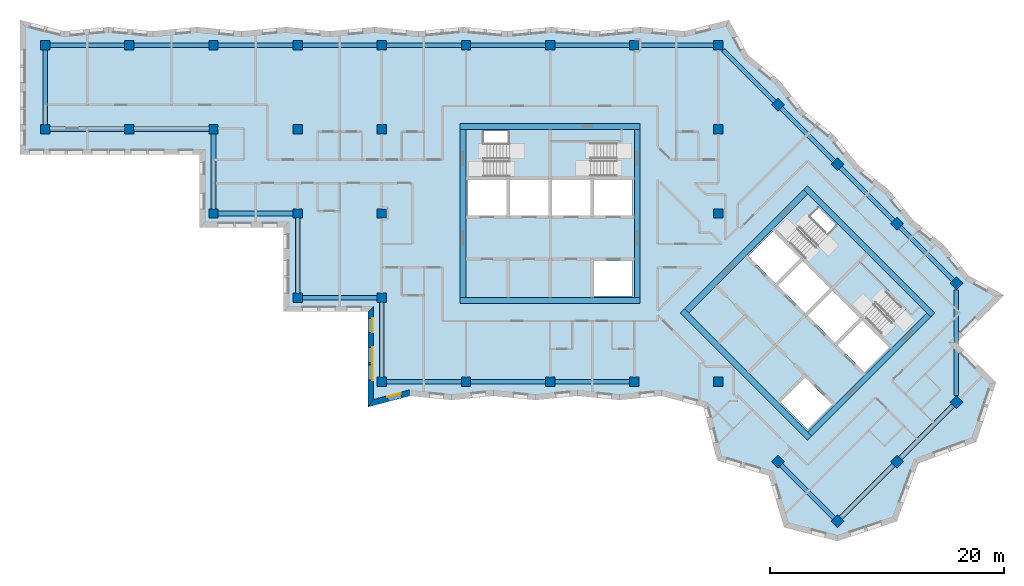
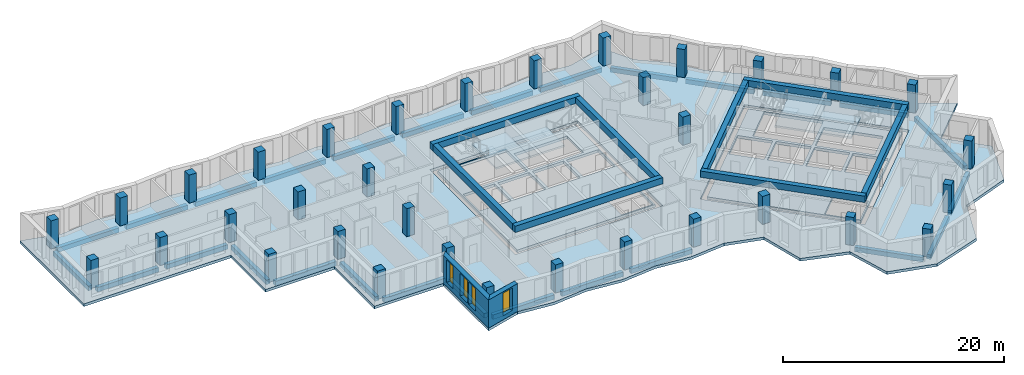
# One storey, part 1 of 11: 35 beams, 34 columns, 7 slabs, 4 windows, 2 walls, 20 openings, 4 elements without a shape of their own.
"""IFC4 building model written with IfcOpenShell, lengths in metres."""

from ifc_helpers import new_model, si_unit, direction, frame, frame_2d, origin, origin_2d, place, context, subcontext, project, spatial, polyline, rectangle, outline, extrude, material, layer, layer_set, material_profile, profile_set, type_object, element, fill, aggregate, save


model = new_model("IFC4")

# Units and contexts
model_context = context("Model", 3, precision=1e-05, world=origin(), true_north=direction((0.0, 1.0)))
body_context = subcontext(model_context, "Body", "Model", "MODEL_VIEW")
ifc_project = project(units=[si_unit("LENGTHUNIT", "METRE"), si_unit("AREAUNIT", "SQUARE_METRE"), si_unit("VOLUMEUNIT", "CUBIC_METRE"), si_unit("PLANEANGLEUNIT", "RADIAN"), si_unit("MASSUNIT", "GRAM", prefix="KILO")], contexts=[model_context])

# Site, building, storey
site_placement = place(None, origin())
site = spatial("IfcSite", under=ifc_project, at=site_placement, CompositionType="ELEMENT")
building_placement = place(site_placement, origin())
building = spatial("IfcBuilding", under=site, at=building_placement, Name="Windrow Commons", CompositionType="ELEMENT")
storey_placement = place(building_placement, frame((0.0, 0.0, 196.4)))
storey = spatial("IfcBuildingStorey", under=building, at=storey_placement, Name="L53", CompositionType="ELEMENT", Elevation=196.4)

# Columns
ifc_material_1 = material(Name="Concrete C50/60", Category="concrete")
ifc_material_profile_1 = material_profile(ifc_material_1, rectangle(XDim=0.8, YDim=0.8, at=origin_2d()))
ifc_profile_set_1 = profile_set([ifc_material_profile_1], Name="Concrete C50/60")
column_type = type_object("IfcColumnType", Name="RC COLUMN 800x800 C50/60", PredefinedType="COLUMN", material=ifc_profile_set_1)
for number, where, z_axis, x_axis, name in (
    (1, (21.6, 64.8, 0.0), (0.0, 0.0, 1.0), (1.0, 0.0, 0.0), "C-Z4-04I"),
    (2, (21.6, 72.0, 0.0), (0.0, 0.0, 1.0), (1.0, 0.0, 0.0), "C-Z4-04J"),
    (3, (28.8, 64.8, 0.0), (0.0, 0.0, 1.0), (1.0, 0.0, 0.0), "C-Z4-05I"),
    (4, (28.8, 72.0, 0.0), (0.0, 0.0, 1.0), (1.0, 0.0, 0.0), "C-Z4-05J"),
    (5, (36.0, 57.6, 0.0), (0.0, 0.0, 1.0), (1.0, 0.0, 0.0), "C-Z4-06H"),
    (6, (36.0, 64.8, 0.0), (0.0, 0.0, 1.0), (1.0, 0.0, 0.0), "C-Z4-06I"),
    (7, (36.0, 72.0, 0.0), (0.0, 0.0, 1.0), (1.0, 0.0, 0.0), "C-Z4-06J"),
    (8, (43.2, 50.4, 0.0), (0.0, 0.0, 1.0), (1.0, 0.0, 0.0), "C-Z4-07G"),
    (9, (43.2, 57.6, 0.0), (0.0, 0.0, 1.0), (1.0, 0.0, 0.0), "C-Z4-07H"),
    (10, (43.2, 64.8, 0.0), (0.0, 0.0, 1.0), (1.0, 0.0, 0.0), "C-Z4-07I"),
    (11, (43.2, 72.0, 0.0), (0.0, 0.0, 1.0), (1.0, 0.0, 0.0), "C-Z4-07J"),
    (12, (50.4, 43.2, 0.0), (0.0, 0.0, 1.0), (1.0, 0.0, 0.0), "C-Z4-08F"),
    (13, (50.4, 50.4, 0.0), (0.0, 0.0, 1.0), (1.0, 0.0, 0.0), "C-Z4-08G"),
    (14, (50.4, 57.6, 0.0), (0.0, 0.0, 1.0), (1.0, 0.0, 0.0), "C-Z4-08H"),
    (15, (50.4, 64.8, 0.0), (0.0, 0.0, 1.0), (1.0, 0.0, 0.0), "C-Z4-08I"),
    (16, (50.4, 72.0, 0.0), (0.0, 0.0, 1.0), (1.0, 0.0, 0.0), "C-Z4-08J"),
    (17, (57.6, 43.2, 0.0), (0.0, 0.0, 1.0), (1.0, 0.0, 0.0), "C-Z4-09F"),
    (18, (57.6, 72.0, 0.0), (0.0, 0.0, 1.0), (1.0, 0.0, 0.0), "C-Z4-09J"),
    (19, (64.8, 43.2, 0.0), (0.0, 0.0, 1.0), (1.0, 0.0, 0.0), "C-Z4-10F"),
    (20, (64.8, 72.0, 0.0), (0.0, 0.0, 1.0), (1.0, 0.0, 0.0), "C-Z4-10J"),
    (21, (72.0, 43.2, 0.0), (0.0, 0.0, 1.0), (1.0, 0.0, 0.0), "C-Z4-11F"),
    (22, (72.0, 72.0, 0.0), (0.0, 0.0, 1.0), (1.0, 0.0, 0.0), "C-Z4-11J"),
    (23, (79.2, 43.2, 0.0), (0.0, 0.0, 1.0), (1.0, 0.0, 0.0), "C-Z4-12F"),
    (24, (79.2, 57.6, 0.0), (0.0, 0.0, 1.0), (1.0, 0.0, 0.0), "C-Z4-12H"),
    (25, (79.2, 64.8, 0.0), (0.0, 0.0, 1.0), (1.0, 0.0, 0.0), "C-Z4-12I"),
    (26, (79.2, 72.0, 0.0), (0.0, 0.0, 1.0), (1.0, 0.0, 0.0), "C-Z4-12J"),
    (27, (84.2912, 66.9088, 0.0), (0.0, 0.0, 1.0), (0.7071067812, -0.7071067812, 0.0), "C-Z4-P2Q"),
    (28, (89.3823, 61.8177, 0.0), (0.0, 0.0, 1.0), (0.7071067812, -0.7071067812, 0.0), "C-Z4-P3Q"),
    (29, (94.4735, 56.7265, 0.0), (0.0, 0.0, 1.0), (0.7071067812, -0.7071067812, 0.0), "C-Z4-P4Q"),
    (30, (99.5647, 51.6353, 0.0), (0.0, 0.0, 1.0), (0.7071067812, -0.7071067812, 0.0), "C-Z4-P5Q"),
    (31, (84.2912, 36.3618, 0.0), (0.0, 0.0, 1.0), (0.7071067812, -0.7071067812, 0.0), "C-Z4-P5T"),
    (32, (99.5647, 41.453, 0.0), (0.0, 0.0, 1.0), (0.7071067812, -0.7071067812, 0.0), "C-Z4-P6R"),
    (33, (94.4735, 36.3618, 0.0), (0.0, 0.0, 1.0), (0.7071067812, -0.7071067812, 0.0), "C-Z4-P6S"),
    (34, (89.3823, 31.2706, 0.0), (0.0, 0.0, 1.0), (0.7071067812, -0.7071067812, 0.0), "C-Z4-P6T"),
):
    element("IfcColumn", number, at=place(storey_placement, frame(where, z_axis=z_axis, x_axis=x_axis)), inside=storey, type_object=column_type, Name=name, PredefinedType="COLUMN", context=body_context, shape_type="SweptSolid", body=[
        extrude(rectangle(XDim=0.8, YDim=0.8, at=origin_2d()), origin(), (0.0, 0.0, 1.0), 3.1),
    ])

# Beams
ifc_material_2 = material(Name="Concrete C40/50", Category="concrete")
ifc_material_profile_2 = material_profile(ifc_material_2, rectangle(XDim=0.5, YDim=0.7, at=origin_2d()))
ifc_profile_set_2 = profile_set([ifc_material_profile_2], Name="Concrete C40/50")
beam_type_1 = type_object("IfcBeamType", Name="RC COUPLING BEAM 500x700 C40/50", PredefinedType="LINTEL", material=ifc_profile_set_2)
for number, where, z_axis, x_axis, name in (
    (35, (57.1, 50.15, 2.75), (1.0, 0.0, 0.0), (0.0, 1.0, 0.0), "Core A coupling beam outer-S"),
    (36, (57.1, 65.05, 2.75), (1.0, 0.0, 0.0), (0.0, 1.0, 0.0), "Core A coupling beam outer-N"),
):
    element("IfcBeam", number, at=place(storey_placement, frame(where, z_axis=z_axis, x_axis=x_axis)), inside=storey, type_object=beam_type_1, Name=name, PredefinedType="LINTEL", context=body_context, shape_type="SweptSolid", body=[
        extrude(rectangle(XDim=0.5, YDim=0.7, at=origin_2d()), origin(), (0.0, 0.0, 1.0), 15.4),
    ])
for number, where, z_axis, x_axis, name in (
    (37, (57.35, 50.4, 2.75), (0.0, 1.0, 0.0), (-1.0, 0.0, 0.0), "Core A coupling beam outer-W"),
    (38, (72.25, 50.4, 2.75), (0.0, 1.0, 0.0), (-1.0, 0.0, 0.0), "Core A coupling beam outer-E"),
):
    element("IfcBeam", number, at=place(storey_placement, frame(where, z_axis=z_axis, x_axis=x_axis)), inside=storey, type_object=beam_type_1, Name=name, PredefinedType="LINTEL", context=body_context, shape_type="SweptSolid", body=[
        extrude(rectangle(XDim=0.5, YDim=0.7, at=origin_2d()), origin(), (0.0, 0.0, 1.0), 14.4),
    ])
for number, where, z_axis, x_axis, name in (
    (39, (76.1241, 49.2665, 2.75), (0.7071067812, -0.7071067812, 0.0), (0.7071067812, 0.7071067812, 0.0), "Core B coupling beam outer-S"),
    (40, (86.66, 59.8024, 2.75), (0.7071067812, -0.7071067812, 0.0), (0.7071067812, 0.7071067812, 0.0), "Core B coupling beam outer-N"),
):
    element("IfcBeam", number, at=place(storey_placement, frame(where, z_axis=z_axis, x_axis=x_axis)), inside=storey, type_object=beam_type_1, Name=name, PredefinedType="LINTEL", context=body_context, shape_type="SweptSolid", body=[
        extrude(rectangle(XDim=0.5, YDim=0.7, at=origin_2d()), origin(), (0.0, 0.0, 1.0), 15.3999),
    ])
for number, where, z_axis, x_axis, name in (
    (41, (76.4776, 49.2665, 2.75), (0.7071067812, 0.7071067812, 0.0), (-0.7071067812, 0.7071067812, 0.0), "Core B coupling beam outer-W"),
    (42, (87.0135, 38.7306, 2.75), (0.7071067812, 0.7071067812, 0.0), (-0.7071067812, 0.7071067812, 0.0), "Core B coupling beam outer-E"),
):
    element("IfcBeam", number, at=place(storey_placement, frame(where, z_axis=z_axis, x_axis=x_axis)), inside=storey, type_object=beam_type_1, Name=name, PredefinedType="LINTEL", context=body_context, shape_type="SweptSolid", body=[
        extrude(rectangle(XDim=0.5, YDim=0.7, at=origin_2d()), origin(), (0.0, 0.0, 1.0), 14.4001),
    ])
ifc_material_3 = material(Name="Concrete C40/50", Category="concrete")
ifc_material_profile_3 = material_profile(ifc_material_3, rectangle(XDim=0.4, YDim=0.5, at=origin_2d()))
ifc_profile_set_3 = profile_set([ifc_material_profile_3], Name="Concrete C40/50")
beam_type_2 = type_object("IfcBeamType", Name="RC EDGE BEAM 400x500 C40/50", PredefinedType="SPANDREL", material=ifc_profile_set_3)
for number, where, z_axis, x_axis, name in (
    (43, (57.2, 43.2, -0.55), (-1.0, 0.0, 0.0), (0.0, -1.0, 0.0), "Edge beam L53 001"),
    (44, (50.4, 43.6, -0.55), (0.0, 1.0, 0.0), (-1.0, 0.0, 0.0), "Edge beam L53 002"),
    (45, (50.0, 50.4, -0.55), (-1.0, 0.0, 0.0), (0.0, -1.0, 0.0), "Edge beam L53 003"),
    (46, (43.2, 50.8, -0.55), (0.0, 1.0, 0.0), (-1.0, 0.0, 0.0), "Edge beam L53 004"),
    (47, (42.8, 57.6, -0.55), (-1.0, 0.0, 0.0), (0.0, -1.0, 0.0), "Edge beam L53 005"),
    (48, (36.0, 58.0, -0.55), (0.0, 1.0, 0.0), (-1.0, 0.0, 0.0), "Edge beam L53 006"),
    (49, (35.6, 64.8, -0.55), (-1.0, 0.0, 0.0), (0.0, -1.0, 0.0), "Edge beam L53 007"),
    (50, (28.4, 64.8, -0.55), (-1.0, 0.0, 0.0), (0.0, -1.0, 0.0), "Edge beam L53 008"),
    (51, (21.6, 65.2, -0.55), (0.0, 1.0, 0.0), (-1.0, 0.0, 0.0), "Edge beam L53 009"),
    (52, (22.0, 72.0, -0.55), (1.0, 0.0, 0.0), (0.0, 1.0, 0.0), "Edge beam L53 010"),
    (53, (29.2, 72.0, -0.55), (1.0, 0.0, 0.0), (0.0, 1.0, 0.0), "Edge beam L53 011"),
    (54, (36.4, 72.0, -0.55), (1.0, 0.0, 0.0), (0.0, 1.0, 0.0), "Edge beam L53 012"),
    (55, (43.6, 72.0, -0.55), (1.0, 0.0, 0.0), (0.0, 1.0, 0.0), "Edge beam L53 013"),
    (56, (50.8, 72.0, -0.55), (1.0, 0.0, 0.0), (0.0, 1.0, 0.0), "Edge beam L53 014"),
    (57, (58.0, 72.0, -0.55), (1.0, 0.0, 0.0), (0.0, 1.0, 0.0), "Edge beam L53 015"),
    (58, (65.2, 72.0, -0.55), (1.0, 0.0, 0.0), (0.0, 1.0, 0.0), "Edge beam L53 016"),
    (59, (72.4, 72.0, -0.55), (1.0, 0.0, 0.0), (0.0, 1.0, 0.0), "Edge beam L53 017"),
):
    element("IfcBeam", number, at=place(storey_placement, frame(where, z_axis=z_axis, x_axis=x_axis)), inside=storey, type_object=beam_type_2, Name=name, PredefinedType="SPANDREL", context=body_context, shape_type="SweptSolid", body=[
        extrude(rectangle(XDim=0.4, YDim=0.5, at=origin_2d()), origin(), (0.0, 0.0, 1.0), 6.4),
    ])
beam_1_placement = place(storey_placement, frame((79.6, 71.6, -0.55), z_axis=(0.7071067812, -0.7071067812, 0.0), x_axis=(0.7071067812, 0.7071067812, 0.0)))
element("IfcBeam", 60, at=beam_1_placement, inside=storey, type_object=beam_type_2, Name="Edge beam L53 018", PredefinedType="SPANDREL", context=body_context, shape_type="SweptSolid", body=[
    extrude(rectangle(XDim=0.4, YDim=0.5, at=origin_2d()), origin(), (0.0, 0.0, 1.0), 6.2344),
])
beam_2_placement = place(storey_placement, frame((84.574, 66.626, -0.55), z_axis=(0.7071067812, -0.7071067812, 0.0), x_axis=(0.7071067812, 0.7071067812, 0.0)))
element("IfcBeam", 61, at=beam_2_placement, inside=storey, type_object=beam_type_2, Name="Edge beam L53 019", PredefinedType="SPANDREL", context=body_context, shape_type="SweptSolid", body=[
    extrude(rectangle(XDim=0.4, YDim=0.5, at=origin_2d()), origin(), (0.0, 0.0, 1.0), 6.4),
])
for number, where, z_axis, x_axis, name in (
    (62, (89.6651, 61.5349, -0.55), (0.7071067812, -0.7071067812, 0.0), (0.7071067812, 0.7071067812, 0.0), "Edge beam L53 020"),
    (63, (94.7563, 56.4437, -0.55), (0.7071067812, -0.7071067812, 0.0), (0.7071067812, 0.7071067812, 0.0), "Edge beam L53 021"),
):
    element("IfcBeam", number, at=place(storey_placement, frame(where, z_axis=z_axis, x_axis=x_axis)), inside=storey, type_object=beam_type_2, Name=name, PredefinedType="SPANDREL", context=body_context, shape_type="SweptSolid", body=[
        extrude(rectangle(XDim=0.4, YDim=0.5, at=origin_2d()), origin(), (0.0, 0.0, 1.0), 6.4002),
    ])
beam_3_placement = place(storey_placement, frame((99.5647, 51.0696, -0.55), z_axis=(0.0, -1.0, 0.0), x_axis=(1.0, 0.0, 0.0)))
element("IfcBeam", 64, at=beam_3_placement, inside=storey, type_object=beam_type_2, Name="Edge beam L53 022", PredefinedType="SPANDREL", context=body_context, shape_type="SweptSolid", body=[
    extrude(rectangle(XDim=0.4, YDim=0.5, at=origin_2d()), origin(), (0.0, 0.0, 1.0), 9.0509),
])
for number, where, z_axis, x_axis, name in (
    (65, (99.2819, 41.1702, -0.55), (-0.7071067812, -0.7071067812, 0.0), (0.7071067812, -0.7071067812, 0.0), "Edge beam L53 023"),
    (66, (94.1907, 36.079, -0.55), (-0.7071067812, -0.7071067812, 0.0), (0.7071067812, -0.7071067812, 0.0), "Edge beam L53 024"),
):
    element("IfcBeam", number, at=place(storey_placement, frame(where, z_axis=z_axis, x_axis=x_axis)), inside=storey, type_object=beam_type_2, Name=name, PredefinedType="SPANDREL", context=body_context, shape_type="SweptSolid", body=[
        extrude(rectangle(XDim=0.4, YDim=0.5, at=origin_2d()), origin(), (0.0, 0.0, 1.0), 6.4002),
    ])
beam_4_placement = place(storey_placement, frame((89.0995, 31.5534, -0.55), z_axis=(-0.7070989688, 0.7071145935, 0.0), x_axis=(-0.7071145935, -0.7070989688, 0.0)))
element("IfcBeam", 67, at=beam_4_placement, inside=storey, type_object=beam_type_2, Name="Edge beam L53 025", PredefinedType="SPANDREL", context=body_context, shape_type="SweptSolid", body=[
    extrude(rectangle(XDim=0.4, YDim=0.5, at=origin_2d()), origin(), (0.0, 0.0, 1.0), 6.4001),
])
for number, where, z_axis, x_axis, name in (
    (68, (71.6, 43.2, -0.55), (-1.0, 0.0, 0.0), (0.0, -1.0, 0.0), "Edge beam L53 026"),
    (69, (64.4, 43.2, -0.55), (-1.0, 0.0, 0.0), (0.0, -1.0, 0.0), "Edge beam L53 027"),
):
    element("IfcBeam", number, at=place(storey_placement, frame(where, z_axis=z_axis, x_axis=x_axis)), inside=storey, type_object=beam_type_2, Name=name, PredefinedType="SPANDREL", context=body_context, shape_type="SweptSolid", body=[
        extrude(rectangle(XDim=0.4, YDim=0.5, at=origin_2d()), origin(), (0.0, 0.0, 1.0), 6.4),
    ])

# Slab, openings
ifc_material_4 = material(Name="Concrete C40/50", Category="concrete")
ifc_layer_1 = layer(ifc_material_4, 0.3)
ifc_layer_set_1 = layer_set([ifc_layer_1], Name="CORE FLOOR SLAB 300 C40/50")
slab_type_1 = type_object("IfcSlabType", Name="CORE FLOOR SLAB 300 C40/50", PredefinedType="FLOOR", material=ifc_layer_set_1)
placement_1 = place(storey_placement, frame((0.0, 0.0, -0.3)))
slab_1 = element("IfcSlab", 70, at=placement_1, inside=storey, type_object=slab_type_1, Name="S-L53-core-A", PredefinedType="FLOOR", context=body_context, shape_type="SweptSolid", body=[
    extrude(outline(polyline([(57.6, 50.4), (72.0, 50.4), (72.0, 64.8), (57.6, 64.8), (57.6, 50.4)]), holes=[polyline([(68.55, 50.55), (71.85, 50.55), (71.85, 53.55), (68.55, 53.55), (68.55, 50.55)]), polyline([(57.75, 57.45), (61.05, 57.45), (61.05, 60.45), (57.75, 60.45), (57.75, 57.45)]), polyline([(61.35, 57.45), (64.65, 57.45), (64.65, 60.45), (61.35, 60.45), (61.35, 57.45)]), polyline([(64.95, 57.45), (68.25, 57.45), (68.25, 60.45), (64.95, 60.45), (64.95, 57.45)]), polyline([(68.55, 57.45), (71.85, 57.45), (71.85, 60.45), (68.55, 60.45), (68.55, 57.45)]), polyline([(59.1, 60.75), (64.65, 60.75), (64.65, 64.65), (59.1, 64.65), (59.1, 60.75)]), polyline([(64.95, 60.75), (70.5, 60.75), (70.5, 63.705), (64.95, 63.705), (64.95, 60.75)])]), origin(), (0.0, 0.0, 1.0), 0.3),
])
opening_1_placement = place(placement_1, origin())
element("IfcOpeningElement", 71, at=opening_1_placement, cuts=slab_1, Name="Slab opening S-L53-core-A 1", PredefinedType="OPENING", context=body_context, shape_type="SweptSolid", body=[
    extrude(outline(polyline([(68.555, 50.555), (68.555, 53.545), (71.845, 53.545), (71.845, 50.555), (68.555, 50.555)])), origin(), (0.0, 0.0, 1.0), 0.3),
])
opening_2_placement = place(placement_1, origin())
element("IfcOpeningElement", 72, at=opening_2_placement, cuts=slab_1, Name="Slab opening S-L53-core-A 2", PredefinedType="OPENING", context=body_context, shape_type="SweptSolid", body=[
    extrude(outline(polyline([(57.755, 57.455), (57.755, 60.445), (61.045, 60.445), (61.045, 57.455), (57.755, 57.455)])), origin(), (0.0, 0.0, 1.0), 0.3),
])
opening_3_placement = place(placement_1, origin())
element("IfcOpeningElement", 73, at=opening_3_placement, cuts=slab_1, Name="Slab opening S-L53-core-A 3", PredefinedType="OPENING", context=body_context, shape_type="SweptSolid", body=[
    extrude(outline(polyline([(61.355, 57.455), (61.355, 60.445), (64.645, 60.445), (64.645, 57.455), (61.355, 57.455)])), origin(), (0.0, 0.0, 1.0), 0.3),
])
opening_4_placement = place(placement_1, origin())
element("IfcOpeningElement", 74, at=opening_4_placement, cuts=slab_1, Name="Slab opening S-L53-core-A 4", PredefinedType="OPENING", context=body_context, shape_type="SweptSolid", body=[
    extrude(outline(polyline([(64.955, 57.455), (64.955, 60.445), (68.245, 60.445), (68.245, 57.455), (64.955, 57.455)])), origin(), (0.0, 0.0, 1.0), 0.3),
])
opening_5_placement = place(placement_1, origin())
element("IfcOpeningElement", 75, at=opening_5_placement, cuts=slab_1, Name="Slab opening S-L53-core-A 5", PredefinedType="OPENING", context=body_context, shape_type="SweptSolid", body=[
    extrude(outline(polyline([(68.555, 57.455), (68.555, 60.445), (71.845, 60.445), (71.845, 57.455), (68.555, 57.455)])), origin(), (0.0, 0.0, 1.0), 0.3),
])
opening_6_placement = place(placement_1, origin())
element("IfcOpeningElement", 76, at=opening_6_placement, cuts=slab_1, Name="Slab opening S-L53-core-A 6", PredefinedType="OPENING", context=body_context, shape_type="SweptSolid", body=[
    extrude(outline(polyline([(59.105, 60.755), (59.105, 64.645), (64.645, 64.645), (64.645, 60.755), (59.105, 60.755)])), origin(), (0.0, 0.0, 1.0), 0.3),
])
opening_7_placement = place(placement_1, origin())
element("IfcOpeningElement", 77, at=opening_7_placement, cuts=slab_1, Name="Slab opening S-L53-core-A 7", PredefinedType="OPENING", context=body_context, shape_type="SweptSolid", body=[
    extrude(outline(polyline([(64.955, 60.755), (64.955, 63.7), (70.495, 63.7), (70.495, 60.755), (64.955, 60.755)])), origin(), (0.0, 0.0, 1.0), 0.3),
])

slab_2 = element("IfcSlab", 78, at=placement_1, inside=storey, type_object=slab_type_1, Name="S-L53-core-B", PredefinedType="FLOOR", context=body_context, shape_type="SweptSolid", body=[
    extrude(outline(polyline([(76.6544, 49.0897), (86.8368, 38.9074), (97.0191, 49.0897), (86.8368, 59.2721), (76.6544, 49.0897)]), holes=[polyline([(84.5033, 41.453), (86.8368, 39.1195), (88.9581, 41.2409), (86.6246, 43.5743), (84.5033, 41.453)]), polyline([(81.7456, 53.9688), (84.079, 51.6353), (86.2004, 53.7566), (83.8669, 56.0901), (81.7456, 53.9688)]), polyline([(84.2912, 51.4232), (86.6246, 49.0897), (88.7459, 51.2111), (86.4125, 53.5445), (84.2912, 51.4232)]), polyline([(86.8368, 48.8776), (89.1702, 46.5442), (91.2915, 48.6655), (88.9581, 50.9989), (86.8368, 48.8776)]), polyline([(89.3823, 46.332), (91.7158, 43.9986), (93.8371, 46.1199), (91.5037, 48.4533), (89.3823, 46.332)]), polyline([(85.0336, 55.3476), (88.9581, 51.4232), (91.7158, 54.1809), (87.7913, 58.1054), (85.0336, 55.3476)]), polyline([(89.1702, 51.2111), (93.0946, 47.2866), (95.1841, 49.3761), (91.2597, 53.3006), (89.1702, 51.2111)])]), origin(), (0.0, 0.0, 1.0), 0.3),
])
opening_8_placement = place(placement_1, origin())
element("IfcOpeningElement", 79, at=opening_8_placement, cuts=slab_2, Name="Slab opening S-L53-core-B 1", PredefinedType="OPENING", context=body_context, shape_type="SweptSolid", body=[
    extrude(outline(polyline([(84.5104, 41.453), (86.6246, 43.5672), (88.951, 41.2409), (86.8368, 39.1266), (84.5104, 41.453)])), origin(), (0.0, 0.0, 1.0), 0.3),
])
opening_9_placement = place(placement_1, origin())
element("IfcOpeningElement", 80, at=opening_9_placement, cuts=slab_2, Name="Slab opening S-L53-core-B 2", PredefinedType="OPENING", context=body_context, shape_type="SweptSolid", body=[
    extrude(outline(polyline([(81.7527, 53.9688), (83.8669, 56.083), (86.1933, 53.7566), (84.079, 51.6424), (81.7527, 53.9688)])), origin(), (0.0, 0.0, 1.0), 0.3),
])
opening_10_placement = place(placement_1, origin())
element("IfcOpeningElement", 81, at=opening_10_placement, cuts=slab_2, Name="Slab opening S-L53-core-B 3", PredefinedType="OPENING", context=body_context, shape_type="SweptSolid", body=[
    extrude(outline(polyline([(84.2983, 51.4232), (86.4125, 53.5374), (88.7388, 51.2111), (86.6246, 49.0968), (84.2983, 51.4232)])), origin(), (0.0, 0.0, 1.0), 0.3),
])
opening_11_placement = place(placement_1, origin())
element("IfcOpeningElement", 82, at=opening_11_placement, cuts=slab_2, Name="Slab opening S-L53-core-B 4", PredefinedType="OPENING", context=body_context, shape_type="SweptSolid", body=[
    extrude(outline(polyline([(86.8439, 48.8776), (88.9581, 50.9918), (91.2844, 48.6655), (89.1702, 46.5513), (86.8439, 48.8776)])), origin(), (0.0, 0.0, 1.0), 0.3),
])
opening_12_placement = place(placement_1, origin())
element("IfcOpeningElement", 83, at=opening_12_placement, cuts=slab_2, Name="Slab opening S-L53-core-B 5", PredefinedType="OPENING", context=body_context, shape_type="SweptSolid", body=[
    extrude(outline(polyline([(89.3894, 46.332), (91.5037, 48.4462), (93.83, 46.1199), (91.7158, 44.0057), (89.3894, 46.332)])), origin(), (0.0, 0.0, 1.0), 0.3),
])
opening_13_placement = place(placement_1, origin())
element("IfcOpeningElement", 84, at=opening_13_placement, cuts=slab_2, Name="Slab opening S-L53-core-B 6", PredefinedType="OPENING", context=body_context, shape_type="SweptSolid", body=[
    extrude(outline(polyline([(85.0407, 55.3476), (87.7913, 58.0983), (91.7087, 54.1809), (88.9581, 51.4303), (85.0407, 55.3476)])), origin(), (0.0, 0.0, 1.0), 0.3),
])
opening_14_placement = place(placement_1, origin())
element("IfcOpeningElement", 85, at=opening_14_placement, cuts=slab_2, Name="Slab opening S-L53-core-B 7", PredefinedType="OPENING", context=body_context, shape_type="SweptSolid", body=[
    extrude(outline(polyline([(89.1773, 51.2111), (91.2597, 53.2935), (95.177, 49.3761), (93.0946, 47.2937), (89.1773, 51.2111)])), origin(), (0.0, 0.0, 1.0), 0.3),
])

# Stair, slab
ifc_material_5 = material(Name="Concrete C40/50", Category="concrete")
stair_type = type_object("IfcStairType", Name="Core stair", PredefinedType="HALF_TURN_STAIR", material=ifc_material_5)
placement_2 = place(storey_placement, origin())
stair_1 = element("IfcStair", 86, at=placement_2, inside=storey, type_object=stair_type, Name="L53 Exit stair A1 core A", PredefinedType="HALF_TURN_STAIR")
ifc_material_6 = material(Name="Concrete C40/50", Category="concrete")
ifc_layer_2 = layer(ifc_material_6, 0.2)
ifc_layer_set_2 = layer_set([ifc_layer_2], Name="Core stair landing")
slab_type_2 = type_object("IfcSlabType", Name="Core stair landing", PredefinedType="LANDING", material=ifc_layer_set_2)
placement_3 = place(storey_placement, frame((0.0, 0.0, 1.5)))
slab_3 = element("IfcSlab", 87, at=placement_3, type_object=slab_type_2, Name="ST-A1 landing 1", PredefinedType="LANDING", context=body_context, shape_type="SweptSolid", body=[
    extrude(outline(polyline([(61.22, 60.5), (64.8, 60.5), (64.8, 64.9), (61.22, 64.9), (61.22, 60.5)])), origin(), (0.0, 0.0, 1.0), 0.2),
])
aggregate(stair_1, [slab_3])

stair_2 = element("IfcStair", 88, at=placement_2, inside=storey, type_object=stair_type, Name="L53 Exit stair A2 core A", PredefinedType="HALF_TURN_STAIR")
slab_4 = element("IfcSlab", 89, at=placement_3, type_object=slab_type_2, Name="ST-A2 landing 1", PredefinedType="LANDING", context=body_context, shape_type="SweptSolid", body=[
    extrude(outline(polyline([(64.8, 60.5), (68.38, 60.5), (68.38, 63.855), (64.8, 63.855), (64.8, 60.5)])), origin(), (0.0, 0.0, 1.0), 0.2),
])
aggregate(stair_2, [slab_4])

stair_3 = element("IfcStair", 90, at=placement_2, inside=storey, type_object=stair_type, Name="L53 Exit stair B1 core B", PredefinedType="HALF_TURN_STAIR")
slab_5 = element("IfcSlab", 91, at=placement_3, type_object=slab_type_2, Name="ST-B1 landing 1", PredefinedType="LANDING", context=body_context, shape_type="SweptSolid", body=[
    extrude(outline(polyline([(86.3559, 53.6718), (88.8874, 51.1403), (91.9986, 54.2516), (89.4672, 56.7831), (86.3559, 53.6718)])), origin(), (0.0, 0.0, 1.0), 0.2),
])
aggregate(stair_3, [slab_5])

stair_4 = element("IfcStair", 92, at=placement_2, inside=storey, type_object=stair_type, Name="L53 Exit stair B2 core B", PredefinedType="HALF_TURN_STAIR")
slab_6 = element("IfcSlab", 93, at=placement_3, type_object=slab_type_2, Name="ST-B2 landing 1", PredefinedType="LANDING", context=body_context, shape_type="SweptSolid", body=[
    extrude(outline(polyline([(88.8874, 51.1403), (91.4188, 48.6089), (93.7911, 50.9812), (91.2597, 53.5127), (88.8874, 51.1403)])), origin(), (0.0, 0.0, 1.0), 0.2),
])
aggregate(stair_4, [slab_6])

# Slab, openings
ifc_material_7 = material(Name="Concrete C40/50", Category="concrete")
ifc_layer_3 = layer(ifc_material_7, 0.3)
ifc_layer_set_3 = layer_set([ifc_layer_3], Name="FLOOR SLAB 300 C40/50")
slab_type_3 = type_object("IfcSlabType", Name="FLOOR SLAB 300 C40/50", PredefinedType="FLOOR", material=ifc_layer_set_3)
slab_7 = element("IfcSlab", 94, at=placement_1, inside=storey, type_object=slab_type_3, Name="S-L53-floor", PredefinedType="FLOOR", context=body_context, shape_type="SweptSolid", body=[
    extrude(outline(polyline([(84.8189, 30.7429), (89.3823, 29.5736), (94.4735, 31.2706), (96.312, 36.2204), (101.2617, 38.0588), (102.9588, 43.15), (99.5647, 46.5442), (103.6383, 50.6178), (100.6045, 52.2926), (98.5054, 54.9022), (95.8958, 57.0013), (93.7968, 59.6108), (91.1872, 61.7099), (89.0882, 64.3195), (86.4786, 66.4185), (84.3795, 69.0281), (81.7699, 71.1272), (80.0952, 74.161), (76.3041, 73.2), (72.5131, 73.561), (68.7221, 73.2), (64.9311, 73.561), (61.1401, 73.2), (57.3491, 73.561), (53.5581, 73.2), (49.7671, 73.561), (45.9761, 73.2), (42.1851, 73.561), (38.394, 73.2), (34.603, 73.561), (30.812, 73.2), (27.021, 73.561), (23.23, 73.2), (19.439, 74.161), (19.439, 62.639), (34.8, 62.639), (34.8, 56.4), (42.0, 56.4), (42.0, 49.2), (49.2, 49.2), (49.2, 41.039), (52.7896, 42.0), (56.3792, 41.639), (59.9688, 42.0), (63.5585, 41.639), (67.1481, 42.0), (70.7377, 41.639), (74.3273, 42.0), (77.9169, 41.039), (79.0862, 36.4756), (83.5082, 35.1649), (84.8189, 30.7429)]), holes=[polyline([(75.9473, 49.0897), (86.8368, 59.9792), (97.7262, 49.0897), (86.8368, 38.2003), (75.9473, 49.0897)]), polyline([(57.1, 49.9), (57.1, 65.3), (72.5, 65.3), (72.5, 49.9), (57.1, 49.9)])]), origin(), (0.0, 0.0, 1.0), 0.3),
])
opening_15_placement = place(placement_1, origin())
element("IfcOpeningElement", 95, at=opening_15_placement, cuts=slab_7, Name="Slab opening S-L53-floor 1", PredefinedType="OPENING", context=body_context, shape_type="SweptSolid", body=[
    extrude(outline(polyline([(75.9544, 49.0897), (86.8368, 59.9721), (97.7191, 49.0897), (86.8368, 38.2074), (75.9544, 49.0897)])), origin(), (0.0, 0.0, 1.0), 0.3),
])
opening_16_placement = place(placement_1, origin())
element("IfcOpeningElement", 96, at=opening_16_placement, cuts=slab_7, Name="Slab opening S-L53-floor 2", PredefinedType="OPENING", context=body_context, shape_type="SweptSolid", body=[
    extrude(outline(polyline([(57.105, 49.905), (57.105, 65.295), (72.495, 65.295), (72.495, 49.905), (57.105, 49.905)])), origin(), (0.0, 0.0, 1.0), 0.3),
])

# Wall, openings, windows
ifc_material_8 = material(Name="Brick masonry, red clay brick", Category="masonry")
ifc_layer_4 = layer(ifc_material_8, 0.5)
ifc_layer_set_4 = layer_set([ifc_layer_4], Name="Brick facade wall 500")
wall_type = type_object("IfcWallType", Name="Brick facade wall 500", PredefinedType="SOLIDWALL", material=ifc_layer_set_4)
wall_1_placement = place(storey_placement, frame((49.45, 49.45, 0.0), z_axis=(0.0, 0.0, 1.0), x_axis=(0.0, -1.0, 0.0)))
wall_1 = element("IfcWall", 97, at=wall_1_placement, inside=storey, type_object=wall_type, Name="Brick facade wall L53 39", PredefinedType="SOLIDWALL", context=body_context, shape_type="SweptSolid", body=[
    extrude(outline(polyline([(0.25, -0.25), (8.411, -0.25), (7.7595, 0.25), (-0.25, 0.25), (0.25, -0.25)])), origin(), (0.0, 0.0, 1.0), 3.1),
])
opening_17_placement = place(wall_1_placement, frame((3.3, 0.0, 0.45)))
opening_17 = element("IfcOpeningElement", 98, at=opening_17_placement, cuts=wall_1, Name="Opening W1Q", PredefinedType="OPENING", context=body_context, shape_type="SweptSolid", body=[
    extrude(rectangle(XDim=1.3, YDim=2.5, at=frame_2d((0.65, 1.25))), frame((0.0, 0.26, 0.0), z_axis=(0.0, -1.0, 0.0), x_axis=(1.0, 0.0, 0.0)), (0.0, 0.0, 1.0), 0.52),
])
opening_18_placement = place(wall_1_placement, frame((4.8, 0.0, 0.45)))
opening_18 = element("IfcOpeningElement", 99, at=opening_18_placement, cuts=wall_1, Name="Opening W1Q", PredefinedType="OPENING", context=body_context, shape_type="SweptSolid", body=[
    extrude(rectangle(XDim=1.3, YDim=2.5, at=frame_2d((0.65, 1.25))), frame((0.0, 0.26, 0.0), z_axis=(0.0, -1.0, 0.0), x_axis=(1.0, 0.0, 0.0)), (0.0, 0.0, 1.0), 0.52),
])
opening_19_placement = place(wall_1_placement, frame((0.825, 0.0, 0.45)))
opening_19 = element("IfcOpeningElement", 100, at=opening_19_placement, cuts=wall_1, Name="Opening W7E", PredefinedType="OPENING", context=body_context, shape_type="SweptSolid", body=[
    extrude(rectangle(XDim=1.2, YDim=2.5, at=frame_2d((0.6, 1.25))), frame((0.0, 0.26, 0.0), z_axis=(0.0, -1.0, 0.0), x_axis=(1.0, 0.0, 0.0)), (0.0, 0.0, 1.0), 0.52),
])
ifc_material_9 = material(Name="Clear float glass in anodised aluminium frame", Category="aluminium")
window_type_1 = type_object("IfcWindowType", Name="Window W1Q pair 1300x2500", PartitioningType="SINGLE_PANEL", PredefinedType="WINDOW", material=ifc_material_9)
window_1_placement = place(opening_17_placement, origin())
window_1 = element("IfcWindow", 101, at=window_1_placement, inside=storey, type_object=window_type_1, Name="Window L53 39.1A", OverallHeight=2.5, OverallWidth=1.3, PartitioningType="SINGLE_PANEL", PredefinedType="WINDOW", context=body_context, shape_type="SweptSolid", body=[
    extrude(rectangle(XDim=1.3, YDim=2.5, at=frame_2d((0.65, 1.25))), frame((0.0, 0.18, 0.0), z_axis=(0.0, -1.0, 0.0), x_axis=(1.0, 0.0, 0.0)), (0.0, 0.0, 1.0), 0.06),
])
fill(opening_17, window_1)
window_2_placement = place(opening_18_placement, origin())
window_2 = element("IfcWindow", 102, at=window_2_placement, inside=storey, type_object=window_type_1, Name="Window L53 39.1B", OverallHeight=2.5, OverallWidth=1.3, PartitioningType="SINGLE_PANEL", PredefinedType="WINDOW", context=body_context, shape_type="SweptSolid", body=[
    extrude(rectangle(XDim=1.3, YDim=2.5, at=frame_2d((0.65, 1.25))), frame((0.0, 0.18, 0.0), z_axis=(0.0, -1.0, 0.0), x_axis=(1.0, 0.0, 0.0)), (0.0, 0.0, 1.0), 0.06),
])
fill(opening_18, window_2)
ifc_material_10 = material(Name="Clear float glass in anodised aluminium frame", Category="aluminium")
window_type_2 = type_object("IfcWindowType", Name="Window W7 notch 1200x2500", PartitioningType="SINGLE_PANEL", PredefinedType="WINDOW", material=ifc_material_10)
window_3_placement = place(opening_19_placement, origin())
window_3 = element("IfcWindow", 103, at=window_3_placement, inside=storey, type_object=window_type_2, Name="Window L53 39.2", OverallHeight=2.5, OverallWidth=1.2, PartitioningType="SINGLE_PANEL", PredefinedType="WINDOW", context=body_context, shape_type="SweptSolid", body=[
    extrude(rectangle(XDim=1.2, YDim=2.5, at=frame_2d((0.6, 1.25))), frame((0.0, 0.18, 0.0), z_axis=(0.0, -1.0, 0.0), x_axis=(1.0, 0.0, 0.0)), (0.0, 0.0, 1.0), 0.06),
])
fill(opening_19, window_3)

# Wall, opening, window
wall_2_placement = place(storey_placement, frame((49.45, 41.3647, 0.0), z_axis=(0.0, 0.0, 1.0), x_axis=(0.9659803862, 0.2586153388, 0.0)))
wall_2 = element("IfcWall", 104, at=wall_2_placement, inside=storey, type_object=wall_type, Name="Brick facade wall L53 40", PredefinedType="SOLIDWALL", context=body_context, shape_type="SweptSolid", body=[
    extrude(outline(polyline([(-0.3257, -0.25), (3.3903, -0.25), (3.4817, 0.25), (0.3257, 0.25), (-0.3257, -0.25)])), origin(), (0.0, 0.0, 1.0), 3.1),
])
opening_20_placement = place(wall_2_placement, frame((1.5097, 0.0, 0.45)))
opening_20 = element("IfcOpeningElement", 105, at=opening_20_placement, cuts=wall_2, Name="Opening W7E", PredefinedType="OPENING", context=body_context, shape_type="SweptSolid", body=[
    extrude(rectangle(XDim=1.2, YDim=2.5, at=frame_2d((0.6, 1.25))), frame((0.0, 0.26, 0.0), z_axis=(0.0, -1.0, 0.0), x_axis=(1.0, 0.0, 0.0)), (0.0, 0.0, 1.0), 0.52),
])
window_4_placement = place(opening_20_placement, origin())
window_4 = element("IfcWindow", 106, at=window_4_placement, inside=storey, type_object=window_type_2, Name="Window L53 40.1", OverallHeight=2.5, OverallWidth=1.2, PartitioningType="SINGLE_PANEL", PredefinedType="WINDOW", context=body_context, shape_type="SweptSolid", body=[
    extrude(rectangle(XDim=1.2, YDim=2.5, at=frame_2d((0.6, 1.25))), frame((0.0, 0.18, 0.0), z_axis=(0.0, -1.0, 0.0), x_axis=(1.0, 0.0, 0.0)), (0.0, 0.0, 1.0), 0.06),
])
fill(opening_20, window_4)

save(model, "model.ifc")
